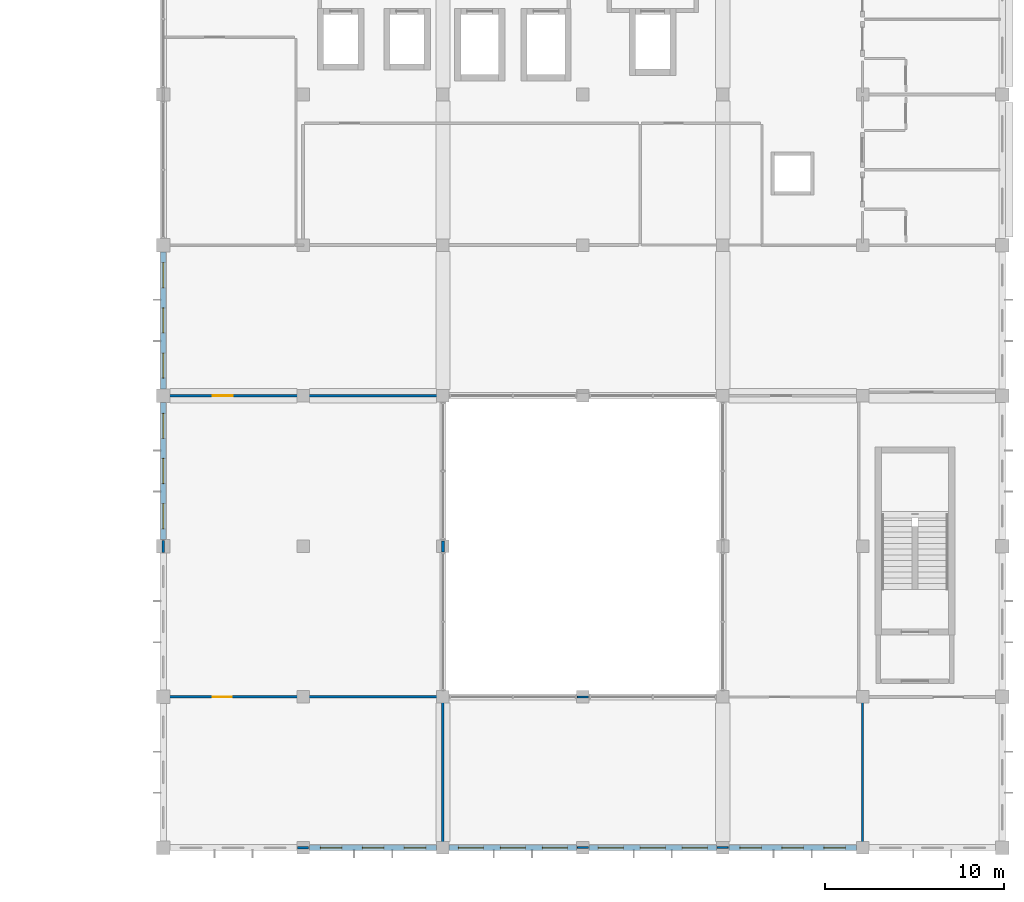
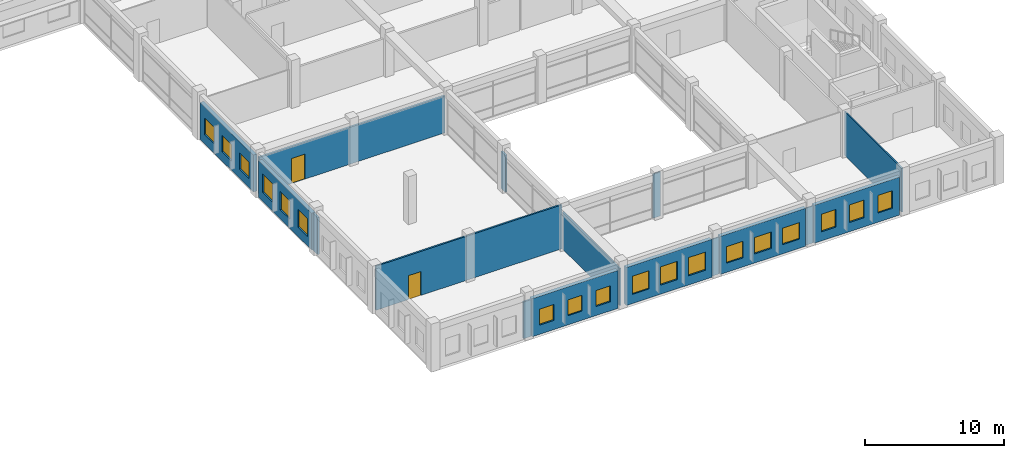
# One storey, part 31 of 53: 18 windows, 16 walls, 2 doors, 20 openings.
"""IFC4 building model written with IfcOpenShell, lengths in metres."""

from ifc_helpers import new_model, si_unit, direction, frame, frame_2d, origin, place, context, subcontext, project, spatial, rectangle, extrude, material, layer, layer_set, type_object, element, fill, save


model = new_model("IFC4")

# Units and contexts
model_context = context("Model", 3, precision=1e-05, world=origin(), true_north=direction((0.0, 1.0)))
body_context = subcontext(model_context, "Body", "Model", "MODEL_VIEW")
ifc_project = project(units=[si_unit("LENGTHUNIT", "METRE"), si_unit("AREAUNIT", "SQUARE_METRE"), si_unit("VOLUMEUNIT", "CUBIC_METRE"), si_unit("PLANEANGLEUNIT", "RADIAN"), si_unit("MASSUNIT", "GRAM", prefix="KILO"), si_unit("THERMODYNAMICTEMPERATUREUNIT", "KELVIN"), si_unit("POWERUNIT", "WATT")], contexts=[model_context])

# Site, building, storey
site_placement = place(None, origin())
site = spatial("IfcSite", under=ifc_project, at=site_placement, CompositionType="ELEMENT")
building_placement = place(site_placement, origin())
building = spatial("IfcBuilding", under=site, at=building_placement, Name="Srebrne Nadtorze General Hospital", CompositionType="ELEMENT")
storey_placement = place(building_placement, frame((0.0, 0.0, 18.0)))
storey = spatial("IfcBuildingStorey", under=building, at=storey_placement, Name="L04", CompositionType="ELEMENT", Elevation=18.0)

# Wall, opening, door
ifc_material_1 = material(Name="Gypsum Healthcare Partition")
ifc_layer_1 = layer(ifc_material_1, 0.139892578125)
ifc_layer_set_1 = layer_set([ifc_layer_1], Name="Gypsum Healthcare Partition")
wall_type_1 = type_object("IfcWallType", Name="Clinical partition 140", PredefinedType="PARTITIONING", material=ifc_layer_set_1)
wall_1_placement = place(storey_placement, frame((101.485107421875, 8.39990234375, 0.0), z_axis=(0.0, 0.0, 1.0), x_axis=(1.0, 0.0, 0.0)))
wall_1 = element("IfcWall", 1, at=wall_1_placement, inside=storey, type_object=wall_type_1, Name="Outpatient Oncology Day Clinic wall WL-INT-L04-1903", PredefinedType="PARTITIONING", context=body_context, shape_type="SweptSolid", body=[
    extrude(rectangle(XDim=15.429931640625, YDim=0.139892578125, at=frame_2d((7.71484375, 0.0))), origin(), (0.0, 0.0, 1.0), 3.864990234375),
])
opening_1_placement = place(wall_1_placement, frame((2.678955078125, 0.0, 0.0)))
opening_1 = element("IfcOpeningElement", 2, at=opening_1_placement, cuts=wall_1, Name="Opening D-L04-0368", PredefinedType="OPENING", context=body_context, shape_type="SweptSolid", body=[
    extrude(rectangle(XDim=1.050048828125, YDim=2.10009765625, at=frame_2d((0.52490234375, 1.050048828125))), frame((0.0, 0.08203125, 0.0), z_axis=(0.0, -1.0, 0.0), x_axis=(1.0, 0.0, 0.0)), (0.0, 0.0, 1.0), 0.163818359375),
])
ifc_material_2 = material(Name="Anodised Aluminium", Category="aluminium")
door_type_1 = type_object("IfcDoorType", Name="Single leaf door 1050x2100", OperationType="NOTDEFINED", PredefinedType="DOOR", material=ifc_material_2)
door_1_placement = place(opening_1_placement, frame((1.050048828125, 0.0, 0.0), z_axis=(0.0, 0.0, 1.0), x_axis=(-1.0, 0.0, 0.0)))
door_1 = element("IfcDoor", 3, at=door_1_placement, inside=storey, type_object=door_type_1, Name="Outpatient Oncology Day Clinic door D-L04-0368", OperationType="SINGLE_SWING_RIGHT", OverallHeight=2.10009765625, OverallWidth=1.050048828125, PredefinedType="DOOR", context=body_context, shape_type="SweptSolid", body=[
    extrude(rectangle(XDim=1.050048828125, YDim=2.10009765625, at=frame_2d((0.52490234375, 1.050048828125))), frame((0.0, 0.02490234375, 0.0), z_axis=(0.0, -1.0, 0.0), x_axis=(1.0, 0.0, 0.0)), (0.0, 0.0, 1.0), 0.050048828125),
])
fill(opening_1, door_1)

# Walls
wall_2_placement = place(storey_placement, frame((108.889892578125, 0.0, 0.0), z_axis=(0.0, 0.0, 1.0), x_axis=(1.0, 0.0, 0.0)))
element("IfcWall", 4, at=wall_2_placement, inside=storey, type_object=wall_type_1, Name="Outpatient Oncology Day Clinic wall WL-INT-L04-1904", PredefinedType="PARTITIONING", context=body_context, shape_type="SweptSolid", body=[
    extrude(rectangle(XDim=0.6201171875, YDim=0.139892578125, at=frame_2d((0.31005859375, 0.0))), origin(), (0.0, 0.0, 1.0), 3.235107421875),
])
wall_3_placement = place(storey_placement, frame((117.0, 0.0849609375, 0.0), z_axis=(0.0, 0.0, 1.0), x_axis=(0.0, 1.0, 0.0)))
element("IfcWall", 5, at=wall_3_placement, inside=storey, type_object=wall_type_1, Name="Outpatient Oncology Day Clinic wall WL-INT-L04-1905", PredefinedType="PARTITIONING", context=body_context, shape_type="SweptSolid", body=[
    extrude(rectangle(XDim=8.22998046875, YDim=0.139892578125, at=frame_2d((4.114990234375, 0.0))), origin(), (0.0, 0.0, 1.0), 3.235107421875),
])

# Wall, opening, door
ifc_material_3 = material(Name="Gypsum Healthcare Partition")
ifc_layer_2 = layer(ifc_material_3, 0.159912109375)
ifc_layer_set_2 = layer_set([ifc_layer_2], Name="Gypsum Healthcare Partition")
wall_type_2 = type_object("IfcWallType", Name="Clinical partition 160", PredefinedType="PARTITIONING", material=ifc_layer_set_2)
wall_4_placement = place(storey_placement, frame((101.485107421875, 25.199951171875, 0.0), z_axis=(0.0, 0.0, 1.0), x_axis=(1.0, 0.0, 0.0)))
wall_4 = element("IfcWall", 6, at=wall_4_placement, inside=storey, type_object=wall_type_2, Name="Outpatient Endocrinology Clinic wall WL-INT-L04-1911", PredefinedType="PARTITIONING", context=body_context, shape_type="SweptSolid", body=[
    extrude(rectangle(XDim=15.429931640625, YDim=0.159912109375, at=frame_2d((7.71484375, 0.0))), origin(), (0.0, 0.0, 1.0), 3.235107421875),
])
opening_2_placement = place(wall_4_placement, frame((2.666748046875, 0.0, 0.0)))
opening_2 = element("IfcOpeningElement", 7, at=opening_2_placement, cuts=wall_4, Name="Opening D-L04-0370", PredefinedType="OPENING", context=body_context, shape_type="SweptSolid", body=[
    extrude(rectangle(XDim=1.1201171875, YDim=2.199951171875, at=frame_2d((0.56005859375, 1.10009765625))), frame((0.0, 0.091796875, 0.0), z_axis=(0.0, -1.0, 0.0), x_axis=(1.0, 0.0, 0.0)), (0.0, 0.0, 1.0), 0.183837890625),
])
ifc_material_4 = material(Name="Anodised Aluminium", Category="aluminium")
door_type_2 = type_object("IfcDoorType", Name="Single leaf door 1120x2200", OperationType="NOTDEFINED", PredefinedType="DOOR", material=ifc_material_4)
door_2_placement = place(opening_2_placement, frame((1.1201171875, 0.0, 0.0), z_axis=(0.0, 0.0, 1.0), x_axis=(-1.0, 0.0, 0.0)))
door_2 = element("IfcDoor", 8, at=door_2_placement, inside=storey, type_object=door_type_2, Name="Outpatient Endocrinology Clinic door D-L04-0370", OperationType="SINGLE_SWING_RIGHT", OverallHeight=2.199951171875, OverallWidth=1.1201171875, PredefinedType="DOOR", context=body_context, shape_type="SweptSolid", body=[
    extrude(rectangle(XDim=1.1201171875, YDim=2.199951171875, at=frame_2d((0.56005859375, 1.10009765625))), frame((0.0, 0.02490234375, 0.0), z_axis=(0.0, -1.0, 0.0), x_axis=(1.0, 0.0, 0.0)), (0.0, 0.0, 1.0), 0.050048828125),
])
fill(opening_2, door_2)

# Walls
wall_5_placement = place(storey_placement, frame((101.39990234375, 16.465087890625, 0.0), z_axis=(0.0, 0.0, 1.0), x_axis=(0.0, 1.0, 0.0)))
element("IfcWall", 9, at=wall_5_placement, inside=storey, type_object=wall_type_2, Name="Outpatient Endocrinology Clinic wall WL-INT-L04-1912", PredefinedType="PARTITIONING", context=body_context, shape_type="SweptSolid", body=[
    extrude(rectangle(XDim=0.669921875, YDim=0.159912109375, at=frame_2d((0.3349609375, 0.0))), origin(), (0.0, 0.0, 1.0), 3.235107421875),
])
wall_6_placement = place(storey_placement, frame((117.0, 16.489990234375, 0.0), z_axis=(0.0, 0.0, 1.0), x_axis=(0.0, 1.0, 0.0)))
element("IfcWall", 10, at=wall_6_placement, inside=storey, type_object=wall_type_2, Name="Outpatient Endocrinology Clinic wall WL-INT-L04-1913", PredefinedType="PARTITIONING", context=body_context, shape_type="SweptSolid", body=[
    extrude(rectangle(XDim=0.6201171875, YDim=0.159912109375, at=frame_2d((0.31005859375, 0.0))), origin(), (0.0, 0.0, 1.0), 3.235107421875),
])

# Wall, openings, windows
ifc_material_5 = material(Name="Concrete C40/50 precast", Category="concrete")
ifc_layer_3 = layer(ifc_material_5, 0.300048828125)
ifc_layer_set_3 = layer_set([ifc_layer_3], Name="Concrete C40/50 precast")
wall_type_3 = type_object("IfcWallType", Name="Limestone precast wall 300", PredefinedType="STANDARD", material=ifc_layer_set_3)
wall_7_placement = place(storey_placement, frame((109.550048828125, 0.0, 0.0), z_axis=(0.0, 0.0, 1.0), x_axis=(1.0, 0.0, 0.0)))
wall_7 = element("IfcWall", 11, at=wall_7_placement, inside=storey, type_object=wall_type_3, Name="Exterior wall WL-ENV-L04-0345", PredefinedType="STANDARD", context=body_context, shape_type="SweptSolid", body=[
    extrude(rectangle(XDim=7.099853515625, YDim=0.300048828125, at=frame_2d((3.5498046875, 0.0))), origin(), (0.0, 0.0, 1.0), 3.3349609375),
])
opening_3_placement = place(wall_7_placement, frame((0.610107421875, 0.0, 0.800048828125)))
opening_3 = element("IfcOpeningElement", 12, at=opening_3_placement, cuts=wall_7, Name="Opening WN-L04-0510", PredefinedType="OPENING", context=body_context, shape_type="SweptSolid", body=[
    extrude(rectangle(XDim=1.199951171875, YDim=1.39990234375, at=frame_2d((0.60009765625, 0.699951171875))), frame((0.0, 0.162109375, 0.0), z_axis=(0.0, -1.0, 0.0), x_axis=(1.0, 0.0, 0.0)), (0.0, 0.0, 1.0), 0.323974609375),
])
opening_4_placement = place(wall_7_placement, frame((2.949951171875, 0.0, 0.800048828125)))
opening_4 = element("IfcOpeningElement", 13, at=opening_4_placement, cuts=wall_7, Name="Opening WN-L04-0511", PredefinedType="OPENING", context=body_context, shape_type="SweptSolid", body=[
    extrude(rectangle(XDim=1.199951171875, YDim=1.39990234375, at=frame_2d((0.60009765625, 0.699951171875))), frame((0.0, 0.162109375, 0.0), z_axis=(0.0, -1.0, 0.0), x_axis=(1.0, 0.0, 0.0)), (0.0, 0.0, 1.0), 0.323974609375),
])
opening_5_placement = place(wall_7_placement, frame((5.2900390625, 0.0, 0.800048828125)))
opening_5 = element("IfcOpeningElement", 14, at=opening_5_placement, cuts=wall_7, Name="Opening WN-L04-0512", PredefinedType="OPENING", context=body_context, shape_type="SweptSolid", body=[
    extrude(rectangle(XDim=1.199951171875, YDim=1.39990234375, at=frame_2d((0.60009765625, 0.699951171875))), frame((0.0, 0.162109375, 0.0), z_axis=(0.0, -1.0, 0.0), x_axis=(1.0, 0.0, 0.0)), (0.0, 0.0, 1.0), 0.323974609375),
])
ifc_material_6 = material(Name="Triple Low-E Glazing", Category="glass")
window_type_1 = type_object("IfcWindowType", Name="Punched clinical window 1200x1400", PartitioningType="SINGLE_PANEL", PredefinedType="WINDOW", material=ifc_material_6)
window_1_placement = place(opening_3_placement, origin())
window_1 = element("IfcWindow", 15, at=window_1_placement, inside=storey, type_object=window_type_1, Name="Clinical window WN-L04-0510", OverallHeight=1.39990234375, OverallWidth=1.199951171875, PartitioningType="SINGLE_PANEL", PredefinedType="WINDOW", context=body_context, shape_type="SweptSolid", body=[
    extrude(rectangle(XDim=1.199951171875, YDim=1.39990234375, at=frame_2d((0.60009765625, 0.699951171875))), frame((0.0, 0.030029296875, 0.0), z_axis=(0.0, -1.0, 0.0), x_axis=(1.0, 0.0, 0.0)), (0.0, 0.0, 1.0), 0.06005859375),
])
fill(opening_3, window_1)
window_2_placement = place(opening_4_placement, origin())
window_2 = element("IfcWindow", 16, at=window_2_placement, inside=storey, type_object=window_type_1, Name="Clinical window WN-L04-0511", OverallHeight=1.39990234375, OverallWidth=1.199951171875, PartitioningType="SINGLE_PANEL", PredefinedType="WINDOW", context=body_context, shape_type="SweptSolid", body=[
    extrude(rectangle(XDim=1.199951171875, YDim=1.39990234375, at=frame_2d((0.60009765625, 0.699951171875))), frame((0.0, 0.030029296875, 0.0), z_axis=(0.0, -1.0, 0.0), x_axis=(1.0, 0.0, 0.0)), (0.0, 0.0, 1.0), 0.06005859375),
])
fill(opening_4, window_2)
window_3_placement = place(opening_5_placement, origin())
window_3 = element("IfcWindow", 17, at=window_3_placement, inside=storey, type_object=window_type_1, Name="Clinical window WN-L04-0512", OverallHeight=1.39990234375, OverallWidth=1.199951171875, PartitioningType="SINGLE_PANEL", PredefinedType="WINDOW", context=body_context, shape_type="SweptSolid", body=[
    extrude(rectangle(XDim=1.199951171875, YDim=1.39990234375, at=frame_2d((0.60009765625, 0.699951171875))), frame((0.0, 0.030029296875, 0.0), z_axis=(0.0, -1.0, 0.0), x_axis=(1.0, 0.0, 0.0)), (0.0, 0.0, 1.0), 0.06005859375),
])
fill(opening_5, window_3)

wall_8_placement = place(storey_placement, frame((117.35009765625, 0.0, 0.0), z_axis=(0.0, 0.0, 1.0), x_axis=(1.0, 0.0, 0.0)))
wall_8 = element("IfcWall", 18, at=wall_8_placement, inside=storey, type_object=wall_type_3, Name="Exterior wall WL-ENV-L04-0346", PredefinedType="STANDARD", context=body_context, shape_type="SweptSolid", body=[
    extrude(rectangle(XDim=7.099853515625, YDim=0.300048828125, at=frame_2d((3.5498046875, 0.0))), origin(), (0.0, 0.0, 1.0), 3.3349609375),
])
opening_6_placement = place(wall_8_placement, frame((0.510009765625, 0.0, 0.800048828125)))
opening_6 = element("IfcOpeningElement", 19, at=opening_6_placement, cuts=wall_8, Name="Opening WN-L04-0513", PredefinedType="OPENING", context=body_context, shape_type="SweptSolid", body=[
    extrude(rectangle(XDim=1.39990234375, YDim=1.60009765625, at=frame_2d((0.699951171875, 0.800048828125))), frame((0.0, 0.162109375, 0.0), z_axis=(0.0, -1.0, 0.0), x_axis=(1.0, 0.0, 0.0)), (0.0, 0.0, 1.0), 0.323974609375),
])
opening_7_placement = place(wall_8_placement, frame((2.85009765625, 0.0, 0.800048828125)))
opening_7 = element("IfcOpeningElement", 20, at=opening_7_placement, cuts=wall_8, Name="Opening WN-L04-0514", PredefinedType="OPENING", context=body_context, shape_type="SweptSolid", body=[
    extrude(rectangle(XDim=1.39990234375, YDim=1.60009765625, at=frame_2d((0.699951171875, 0.800048828125))), frame((0.0, 0.162109375, 0.0), z_axis=(0.0, -1.0, 0.0), x_axis=(1.0, 0.0, 0.0)), (0.0, 0.0, 1.0), 0.323974609375),
])
opening_8_placement = place(wall_8_placement, frame((5.18994140625, 0.0, 0.800048828125)))
opening_8 = element("IfcOpeningElement", 21, at=opening_8_placement, cuts=wall_8, Name="Opening WN-L04-0515", PredefinedType="OPENING", context=body_context, shape_type="SweptSolid", body=[
    extrude(rectangle(XDim=1.39990234375, YDim=1.60009765625, at=frame_2d((0.699951171875, 0.800048828125))), frame((0.0, 0.162109375, 0.0), z_axis=(0.0, -1.0, 0.0), x_axis=(1.0, 0.0, 0.0)), (0.0, 0.0, 1.0), 0.323974609375),
])
ifc_material_7 = material(Name="Triple Low-E Glazing", Category="glass")
window_type_2 = type_object("IfcWindowType", Name="Punched clinical window 1400x1600", PartitioningType="SINGLE_PANEL", PredefinedType="WINDOW", material=ifc_material_7)
window_4_placement = place(opening_6_placement, origin())
window_4 = element("IfcWindow", 22, at=window_4_placement, inside=storey, type_object=window_type_2, Name="Clinical window WN-L04-0513", OverallHeight=1.60009765625, OverallWidth=1.39990234375, PartitioningType="SINGLE_PANEL", PredefinedType="WINDOW", context=body_context, shape_type="SweptSolid", body=[
    extrude(rectangle(XDim=1.39990234375, YDim=1.60009765625, at=frame_2d((0.699951171875, 0.800048828125))), frame((0.0, 0.030029296875, 0.0), z_axis=(0.0, -1.0, 0.0), x_axis=(1.0, 0.0, 0.0)), (0.0, 0.0, 1.0), 0.06005859375),
])
fill(opening_6, window_4)
window_5_placement = place(opening_7_placement, origin())
window_5 = element("IfcWindow", 23, at=window_5_placement, inside=storey, type_object=window_type_2, Name="Clinical window WN-L04-0514", OverallHeight=1.60009765625, OverallWidth=1.39990234375, PartitioningType="SINGLE_PANEL", PredefinedType="WINDOW", context=body_context, shape_type="SweptSolid", body=[
    extrude(rectangle(XDim=1.39990234375, YDim=1.60009765625, at=frame_2d((0.699951171875, 0.800048828125))), frame((0.0, 0.030029296875, 0.0), z_axis=(0.0, -1.0, 0.0), x_axis=(1.0, 0.0, 0.0)), (0.0, 0.0, 1.0), 0.06005859375),
])
fill(opening_7, window_5)
window_6_placement = place(opening_8_placement, origin())
window_6 = element("IfcWindow", 24, at=window_6_placement, inside=storey, type_object=window_type_2, Name="Clinical window WN-L04-0515", OverallHeight=1.60009765625, OverallWidth=1.39990234375, PartitioningType="SINGLE_PANEL", PredefinedType="WINDOW", context=body_context, shape_type="SweptSolid", body=[
    extrude(rectangle(XDim=1.39990234375, YDim=1.60009765625, at=frame_2d((0.699951171875, 0.800048828125))), frame((0.0, 0.030029296875, 0.0), z_axis=(0.0, -1.0, 0.0), x_axis=(1.0, 0.0, 0.0)), (0.0, 0.0, 1.0), 0.06005859375),
])
fill(opening_8, window_6)

wall_9_placement = place(storey_placement, frame((125.14990234375, 0.0, 0.0), z_axis=(0.0, 0.0, 1.0), x_axis=(1.0, 0.0, 0.0)))
wall_9 = element("IfcWall", 25, at=wall_9_placement, inside=storey, type_object=wall_type_3, Name="Exterior wall WL-ENV-L04-0347", PredefinedType="STANDARD", context=body_context, shape_type="SweptSolid", body=[
    extrude(rectangle(XDim=7.10009765625, YDim=0.300048828125, at=frame_2d((3.550048828125, 0.0))), origin(), (0.0, 0.0, 1.0), 3.3349609375),
])
opening_9_placement = place(wall_9_placement, frame((0.510009765625, 0.0, 0.800048828125)))
opening_9 = element("IfcOpeningElement", 26, at=opening_9_placement, cuts=wall_9, Name="Opening WN-L04-0516", PredefinedType="OPENING", context=body_context, shape_type="SweptSolid", body=[
    extrude(rectangle(XDim=1.39990234375, YDim=1.449951171875, at=frame_2d((0.699951171875, 0.72509765625))), frame((0.0, 0.162109375, 0.0), z_axis=(0.0, -1.0, 0.0), x_axis=(1.0, 0.0, 0.0)), (0.0, 0.0, 1.0), 0.323974609375),
])
opening_10_placement = place(wall_9_placement, frame((2.85009765625, 0.0, 0.800048828125)))
opening_10 = element("IfcOpeningElement", 27, at=opening_10_placement, cuts=wall_9, Name="Opening WN-L04-0517", PredefinedType="OPENING", context=body_context, shape_type="SweptSolid", body=[
    extrude(rectangle(XDim=1.39990234375, YDim=1.449951171875, at=frame_2d((0.699951171875, 0.72509765625))), frame((0.0, 0.162109375, 0.0), z_axis=(0.0, -1.0, 0.0), x_axis=(1.0, 0.0, 0.0)), (0.0, 0.0, 1.0), 0.323974609375),
])
opening_11_placement = place(wall_9_placement, frame((5.18994140625, 0.0, 0.800048828125)))
opening_11 = element("IfcOpeningElement", 28, at=opening_11_placement, cuts=wall_9, Name="Opening WN-L04-0518", PredefinedType="OPENING", context=body_context, shape_type="SweptSolid", body=[
    extrude(rectangle(XDim=1.39990234375, YDim=1.449951171875, at=frame_2d((0.699951171875, 0.72509765625))), frame((0.0, 0.162109375, 0.0), z_axis=(0.0, -1.0, 0.0), x_axis=(1.0, 0.0, 0.0)), (0.0, 0.0, 1.0), 0.323974609375),
])
ifc_material_8 = material(Name="Triple Low-E Glazing", Category="glass")
window_type_3 = type_object("IfcWindowType", Name="Punched clinical window 1400x1450", PartitioningType="SINGLE_PANEL", PredefinedType="WINDOW", material=ifc_material_8)
window_7_placement = place(opening_9_placement, origin())
window_7 = element("IfcWindow", 29, at=window_7_placement, inside=storey, type_object=window_type_3, Name="Clinical window WN-L04-0516", OverallHeight=1.449951171875, OverallWidth=1.39990234375, PartitioningType="SINGLE_PANEL", PredefinedType="WINDOW", context=body_context, shape_type="SweptSolid", body=[
    extrude(rectangle(XDim=1.39990234375, YDim=1.449951171875, at=frame_2d((0.699951171875, 0.72509765625))), frame((0.0, 0.030029296875, 0.0), z_axis=(0.0, -1.0, 0.0), x_axis=(1.0, 0.0, 0.0)), (0.0, 0.0, 1.0), 0.06005859375),
])
fill(opening_9, window_7)
window_8_placement = place(opening_10_placement, origin())
window_8 = element("IfcWindow", 30, at=window_8_placement, inside=storey, type_object=window_type_3, Name="Clinical window WN-L04-0517", OverallHeight=1.449951171875, OverallWidth=1.39990234375, PartitioningType="SINGLE_PANEL", PredefinedType="WINDOW", context=body_context, shape_type="SweptSolid", body=[
    extrude(rectangle(XDim=1.39990234375, YDim=1.449951171875, at=frame_2d((0.699951171875, 0.72509765625))), frame((0.0, 0.030029296875, 0.0), z_axis=(0.0, -1.0, 0.0), x_axis=(1.0, 0.0, 0.0)), (0.0, 0.0, 1.0), 0.06005859375),
])
fill(opening_10, window_8)
window_9_placement = place(opening_11_placement, origin())
window_9 = element("IfcWindow", 31, at=window_9_placement, inside=storey, type_object=window_type_3, Name="Clinical window WN-L04-0518", OverallHeight=1.449951171875, OverallWidth=1.39990234375, PartitioningType="SINGLE_PANEL", PredefinedType="WINDOW", context=body_context, shape_type="SweptSolid", body=[
    extrude(rectangle(XDim=1.39990234375, YDim=1.449951171875, at=frame_2d((0.699951171875, 0.72509765625))), frame((0.0, 0.030029296875, 0.0), z_axis=(0.0, -1.0, 0.0), x_axis=(1.0, 0.0, 0.0)), (0.0, 0.0, 1.0), 0.06005859375),
])
fill(opening_11, window_9)

wall_10_placement = place(storey_placement, frame((132.949951171875, 0.0, 0.0), z_axis=(0.0, 0.0, 1.0), x_axis=(1.0, 0.0, 0.0)))
wall_10 = element("IfcWall", 32, at=wall_10_placement, inside=storey, type_object=wall_type_3, Name="Exterior wall WL-ENV-L04-0348", PredefinedType="STANDARD", context=body_context, shape_type="SweptSolid", body=[
    extrude(rectangle(XDim=7.10009765625, YDim=0.300048828125, at=frame_2d((3.550048828125, 0.0))), origin(), (0.0, 0.0, 1.0), 3.3349609375),
])
opening_12_placement = place(wall_10_placement, frame((0.610107421875, 0.0, 0.800048828125)))
opening_12 = element("IfcOpeningElement", 33, at=opening_12_placement, cuts=wall_10, Name="Opening WN-L04-0519", PredefinedType="OPENING", context=body_context, shape_type="SweptSolid", body=[
    extrude(rectangle(XDim=1.199951171875, YDim=1.550048828125, at=frame_2d((0.60009765625, 0.77490234375))), frame((0.0, 0.162109375, 0.0), z_axis=(0.0, -1.0, 0.0), x_axis=(1.0, 0.0, 0.0)), (0.0, 0.0, 1.0), 0.323974609375),
])
opening_13_placement = place(wall_10_placement, frame((2.949951171875, 0.0, 0.800048828125)))
opening_13 = element("IfcOpeningElement", 34, at=opening_13_placement, cuts=wall_10, Name="Opening WN-L04-0520", PredefinedType="OPENING", context=body_context, shape_type="SweptSolid", body=[
    extrude(rectangle(XDim=1.199951171875, YDim=1.550048828125, at=frame_2d((0.60009765625, 0.77490234375))), frame((0.0, 0.162109375, 0.0), z_axis=(0.0, -1.0, 0.0), x_axis=(1.0, 0.0, 0.0)), (0.0, 0.0, 1.0), 0.323974609375),
])
opening_14_placement = place(wall_10_placement, frame((5.2900390625, 0.0, 0.800048828125)))
opening_14 = element("IfcOpeningElement", 35, at=opening_14_placement, cuts=wall_10, Name="Opening WN-L04-0521", PredefinedType="OPENING", context=body_context, shape_type="SweptSolid", body=[
    extrude(rectangle(XDim=1.199951171875, YDim=1.550048828125, at=frame_2d((0.60009765625, 0.77490234375))), frame((0.0, 0.162109375, 0.0), z_axis=(0.0, -1.0, 0.0), x_axis=(1.0, 0.0, 0.0)), (0.0, 0.0, 1.0), 0.323974609375),
])
ifc_material_9 = material(Name="Triple Low-E Glazing", Category="glass")
window_type_4 = type_object("IfcWindowType", Name="Punched clinical window 1200x1550", PartitioningType="SINGLE_PANEL", PredefinedType="WINDOW", material=ifc_material_9)
window_10_placement = place(opening_12_placement, origin())
window_10 = element("IfcWindow", 36, at=window_10_placement, inside=storey, type_object=window_type_4, Name="Clinical window WN-L04-0519", OverallHeight=1.550048828125, OverallWidth=1.199951171875, PartitioningType="SINGLE_PANEL", PredefinedType="WINDOW", context=body_context, shape_type="SweptSolid", body=[
    extrude(rectangle(XDim=1.199951171875, YDim=1.550048828125, at=frame_2d((0.60009765625, 0.77490234375))), frame((0.0, 0.030029296875, 0.0), z_axis=(0.0, -1.0, 0.0), x_axis=(1.0, 0.0, 0.0)), (0.0, 0.0, 1.0), 0.06005859375),
])
fill(opening_12, window_10)
window_11_placement = place(opening_13_placement, origin())
window_11 = element("IfcWindow", 37, at=window_11_placement, inside=storey, type_object=window_type_4, Name="Clinical window WN-L04-0520", OverallHeight=1.550048828125, OverallWidth=1.199951171875, PartitioningType="SINGLE_PANEL", PredefinedType="WINDOW", context=body_context, shape_type="SweptSolid", body=[
    extrude(rectangle(XDim=1.199951171875, YDim=1.550048828125, at=frame_2d((0.60009765625, 0.77490234375))), frame((0.0, 0.030029296875, 0.0), z_axis=(0.0, -1.0, 0.0), x_axis=(1.0, 0.0, 0.0)), (0.0, 0.0, 1.0), 0.06005859375),
])
fill(opening_13, window_11)
window_12_placement = place(opening_14_placement, origin())
window_12 = element("IfcWindow", 38, at=window_12_placement, inside=storey, type_object=window_type_4, Name="Clinical window WN-L04-0521", OverallHeight=1.550048828125, OverallWidth=1.199951171875, PartitioningType="SINGLE_PANEL", PredefinedType="WINDOW", context=body_context, shape_type="SweptSolid", body=[
    extrude(rectangle(XDim=1.199951171875, YDim=1.550048828125, at=frame_2d((0.60009765625, 0.77490234375))), frame((0.0, 0.030029296875, 0.0), z_axis=(0.0, -1.0, 0.0), x_axis=(1.0, 0.0, 0.0)), (0.0, 0.0, 1.0), 0.06005859375),
])
fill(opening_14, window_12)

wall_11_placement = place(storey_placement, frame((101.39990234375, 17.175048828125, 0.0), z_axis=(0.0, 0.0, 1.0), x_axis=(0.0, 1.0, 0.0)))
wall_11 = element("IfcWall", 39, at=wall_11_placement, inside=storey, type_object=wall_type_3, Name="Exterior wall WL-ENV-L04-0391", PredefinedType="STANDARD", context=body_context, shape_type="SweptSolid", body=[
    extrude(rectangle(XDim=7.64990234375, YDim=0.300048828125, at=frame_2d((3.824951171875, 0.0))), origin(), (0.0, 0.0, 1.0), 3.235107421875),
])
opening_15_placement = place(wall_11_placement, frame((0.60498046875, 0.0, 0.800048828125)))
opening_15 = element("IfcOpeningElement", 40, at=opening_15_placement, cuts=wall_11, Name="Opening WN-L04-0603", PredefinedType="OPENING", context=body_context, shape_type="SweptSolid", body=[
    extrude(rectangle(XDim=1.39990234375, YDim=1.60009765625, at=frame_2d((0.699951171875, 0.800048828125))), frame((0.0, 0.162109375, 0.0), z_axis=(0.0, -1.0, 0.0), x_axis=(1.0, 0.0, 0.0)), (0.0, 0.0, 1.0), 0.323974609375),
])
opening_16_placement = place(wall_11_placement, frame((3.125, 0.0, 0.800048828125)))
opening_16 = element("IfcOpeningElement", 41, at=opening_16_placement, cuts=wall_11, Name="Opening WN-L04-0604", PredefinedType="OPENING", context=body_context, shape_type="SweptSolid", body=[
    extrude(rectangle(XDim=1.39990234375, YDim=1.60009765625, at=frame_2d((0.699951171875, 0.800048828125))), frame((0.0, 0.162109375, 0.0), z_axis=(0.0, -1.0, 0.0), x_axis=(1.0, 0.0, 0.0)), (0.0, 0.0, 1.0), 0.323974609375),
])
opening_17_placement = place(wall_11_placement, frame((5.64501953125, 0.0, 0.800048828125)))
opening_17 = element("IfcOpeningElement", 42, at=opening_17_placement, cuts=wall_11, Name="Opening WN-L04-0605", PredefinedType="OPENING", context=body_context, shape_type="SweptSolid", body=[
    extrude(rectangle(XDim=1.39990234375, YDim=1.60009765625, at=frame_2d((0.699951171875, 0.800048828125))), frame((0.0, 0.162109375, 0.0), z_axis=(0.0, -1.0, 0.0), x_axis=(1.0, 0.0, 0.0)), (0.0, 0.0, 1.0), 0.323974609375),
])
window_13_placement = place(opening_15_placement, origin())
window_13 = element("IfcWindow", 43, at=window_13_placement, inside=storey, type_object=window_type_2, Name="Clinical window WN-L04-0603", OverallHeight=1.60009765625, OverallWidth=1.39990234375, PartitioningType="SINGLE_PANEL", PredefinedType="WINDOW", context=body_context, shape_type="SweptSolid", body=[
    extrude(rectangle(XDim=1.39990234375, YDim=1.60009765625, at=frame_2d((0.699951171875, 0.800048828125))), frame((0.0, 0.030029296875, 0.0), z_axis=(0.0, -1.0, 0.0), x_axis=(1.0, 0.0, 0.0)), (0.0, 0.0, 1.0), 0.06005859375),
])
fill(opening_15, window_13)
window_14_placement = place(opening_16_placement, origin())
window_14 = element("IfcWindow", 44, at=window_14_placement, inside=storey, type_object=window_type_2, Name="Clinical window WN-L04-0604", OverallHeight=1.60009765625, OverallWidth=1.39990234375, PartitioningType="SINGLE_PANEL", PredefinedType="WINDOW", context=body_context, shape_type="SweptSolid", body=[
    extrude(rectangle(XDim=1.39990234375, YDim=1.60009765625, at=frame_2d((0.699951171875, 0.800048828125))), frame((0.0, 0.030029296875, 0.0), z_axis=(0.0, -1.0, 0.0), x_axis=(1.0, 0.0, 0.0)), (0.0, 0.0, 1.0), 0.06005859375),
])
fill(opening_16, window_14)
window_15_placement = place(opening_17_placement, origin())
window_15 = element("IfcWindow", 45, at=window_15_placement, inside=storey, type_object=window_type_2, Name="Clinical window WN-L04-0605", OverallHeight=1.60009765625, OverallWidth=1.39990234375, PartitioningType="SINGLE_PANEL", PredefinedType="WINDOW", context=body_context, shape_type="SweptSolid", body=[
    extrude(rectangle(XDim=1.39990234375, YDim=1.60009765625, at=frame_2d((0.699951171875, 0.800048828125))), frame((0.0, 0.030029296875, 0.0), z_axis=(0.0, -1.0, 0.0), x_axis=(1.0, 0.0, 0.0)), (0.0, 0.0, 1.0), 0.06005859375),
])
fill(opening_17, window_15)

wall_12_placement = place(storey_placement, frame((101.39990234375, 25.574951171875, 0.0), z_axis=(0.0, 0.0, 1.0), x_axis=(0.0, 1.0, 0.0)))
wall_12 = element("IfcWall", 46, at=wall_12_placement, inside=storey, type_object=wall_type_3, Name="Exterior wall WL-ENV-L04-0392", PredefinedType="STANDARD", context=body_context, shape_type="SweptSolid", body=[
    extrude(rectangle(XDim=7.650146484375, YDim=0.300048828125, at=frame_2d((3.8251953125, 0.0))), origin(), (0.0, 0.0, 1.0), 3.235107421875),
])
opening_18_placement = place(wall_12_placement, frame((0.60498046875, 0.0, 0.800048828125)))
opening_18 = element("IfcOpeningElement", 47, at=opening_18_placement, cuts=wall_12, Name="Opening WN-L04-0606", PredefinedType="OPENING", context=body_context, shape_type="SweptSolid", body=[
    extrude(rectangle(XDim=1.39990234375, YDim=1.449951171875, at=frame_2d((0.699951171875, 0.72509765625))), frame((0.0, 0.162109375, 0.0), z_axis=(0.0, -1.0, 0.0), x_axis=(1.0, 0.0, 0.0)), (0.0, 0.0, 1.0), 0.323974609375),
])
opening_19_placement = place(wall_12_placement, frame((3.125, 0.0, 0.800048828125)))
opening_19 = element("IfcOpeningElement", 48, at=opening_19_placement, cuts=wall_12, Name="Opening WN-L04-0607", PredefinedType="OPENING", context=body_context, shape_type="SweptSolid", body=[
    extrude(rectangle(XDim=1.39990234375, YDim=1.449951171875, at=frame_2d((0.699951171875, 0.72509765625))), frame((0.0, 0.162109375, 0.0), z_axis=(0.0, -1.0, 0.0), x_axis=(1.0, 0.0, 0.0)), (0.0, 0.0, 1.0), 0.323974609375),
])
opening_20_placement = place(wall_12_placement, frame((5.64501953125, 0.0, 0.800048828125)))
opening_20 = element("IfcOpeningElement", 49, at=opening_20_placement, cuts=wall_12, Name="Opening WN-L04-0608", PredefinedType="OPENING", context=body_context, shape_type="SweptSolid", body=[
    extrude(rectangle(XDim=1.39990234375, YDim=1.449951171875, at=frame_2d((0.699951171875, 0.72509765625))), frame((0.0, 0.162109375, 0.0), z_axis=(0.0, -1.0, 0.0), x_axis=(1.0, 0.0, 0.0)), (0.0, 0.0, 1.0), 0.323974609375),
])
window_16_placement = place(opening_18_placement, origin())
window_16 = element("IfcWindow", 50, at=window_16_placement, inside=storey, type_object=window_type_3, Name="Clinical window WN-L04-0606", OverallHeight=1.449951171875, OverallWidth=1.39990234375, PartitioningType="SINGLE_PANEL", PredefinedType="WINDOW", context=body_context, shape_type="SweptSolid", body=[
    extrude(rectangle(XDim=1.39990234375, YDim=1.449951171875, at=frame_2d((0.699951171875, 0.72509765625))), frame((0.0, 0.030029296875, 0.0), z_axis=(0.0, -1.0, 0.0), x_axis=(1.0, 0.0, 0.0)), (0.0, 0.0, 1.0), 0.06005859375),
])
fill(opening_18, window_16)
window_17_placement = place(opening_19_placement, origin())
window_17 = element("IfcWindow", 51, at=window_17_placement, inside=storey, type_object=window_type_3, Name="Clinical window WN-L04-0607", OverallHeight=1.449951171875, OverallWidth=1.39990234375, PartitioningType="SINGLE_PANEL", PredefinedType="WINDOW", context=body_context, shape_type="SweptSolid", body=[
    extrude(rectangle(XDim=1.39990234375, YDim=1.449951171875, at=frame_2d((0.699951171875, 0.72509765625))), frame((0.0, 0.030029296875, 0.0), z_axis=(0.0, -1.0, 0.0), x_axis=(1.0, 0.0, 0.0)), (0.0, 0.0, 1.0), 0.06005859375),
])
fill(opening_19, window_17)
window_18_placement = place(opening_20_placement, origin())
window_18 = element("IfcWindow", 52, at=window_18_placement, inside=storey, type_object=window_type_3, Name="Clinical window WN-L04-0608", OverallHeight=1.449951171875, OverallWidth=1.39990234375, PartitioningType="SINGLE_PANEL", PredefinedType="WINDOW", context=body_context, shape_type="SweptSolid", body=[
    extrude(rectangle(XDim=1.39990234375, YDim=1.449951171875, at=frame_2d((0.699951171875, 0.72509765625))), frame((0.0, 0.030029296875, 0.0), z_axis=(0.0, -1.0, 0.0), x_axis=(1.0, 0.0, 0.0)), (0.0, 0.0, 1.0), 0.06005859375),
])
fill(opening_20, window_18)

# Walls
ifc_material_10 = material(Name="Gypsum Healthcare Partition")
ifc_layer_4 = layer(ifc_material_10, 0.10009765625)
ifc_layer_set_4 = layer_set([ifc_layer_4], Name="Gypsum Healthcare Partition")
wall_type_4 = type_object("IfcWallType", Name="Shaft lining wall 100", PredefinedType="PARTITIONING", material=ifc_layer_set_4)
wall_13_placement = place(storey_placement, frame((124.489990234375, 8.39990234375, 0.0), z_axis=(0.0, 0.0, 1.0), x_axis=(1.0, 0.0, 0.0)))
element("IfcWall", 53, at=wall_13_placement, inside=storey, type_object=wall_type_4, Name="Outpatient Rheumatology Clinic wall WL-INT-L04-1906", PredefinedType="PARTITIONING", context=body_context, shape_type="SweptSolid", body=[
    extrude(rectangle(XDim=0.6201171875, YDim=0.10009765625, at=frame_2d((0.31005859375, 0.0))), origin(), (0.0, 0.0, 1.0), 3.864990234375),
])
wall_14_placement = place(storey_placement, frame((124.489990234375, 0.0, 0.0), z_axis=(0.0, 0.0, 1.0), x_axis=(1.0, 0.0, 0.0)))
element("IfcWall", 54, at=wall_14_placement, inside=storey, type_object=wall_type_4, Name="Outpatient Rheumatology Clinic wall WL-INT-L04-1908", PredefinedType="PARTITIONING", context=body_context, shape_type="SweptSolid", body=[
    extrude(rectangle(XDim=0.6201171875, YDim=0.10009765625, at=frame_2d((0.31005859375, 0.0))), origin(), (0.0, 0.0, 1.0), 3.235107421875),
])
wall_15_placement = place(storey_placement, frame((132.2900390625, 0.0, 0.0), z_axis=(0.0, 0.0, 1.0), x_axis=(1.0, 0.0, 0.0)))
element("IfcWall", 55, at=wall_15_placement, inside=storey, type_object=wall_type_4, Name="Outpatient Rheumatology Clinic wall WL-INT-L04-1909", PredefinedType="PARTITIONING", context=body_context, shape_type="SweptSolid", body=[
    extrude(rectangle(XDim=0.619873046875, YDim=0.10009765625, at=frame_2d((0.31005859375, 0.0))), origin(), (0.0, 0.0, 1.0), 3.235107421875),
])
wall_16_placement = place(storey_placement, frame((140.39990234375, 0.0849609375, 0.0), z_axis=(0.0, 0.0, 1.0), x_axis=(0.0, 1.0, 0.0)))
element("IfcWall", 56, at=wall_16_placement, inside=storey, type_object=wall_type_4, Name="Outpatient Rheumatology Clinic wall WL-INT-L04-1910", PredefinedType="PARTITIONING", context=body_context, shape_type="SweptSolid", body=[
    extrude(rectangle(XDim=8.22998046875, YDim=0.10009765625, at=frame_2d((4.114990234375, 0.0))), origin(), (0.0, 0.0, 1.0), 3.864990234375),
])

save(model, "model.ifc")
